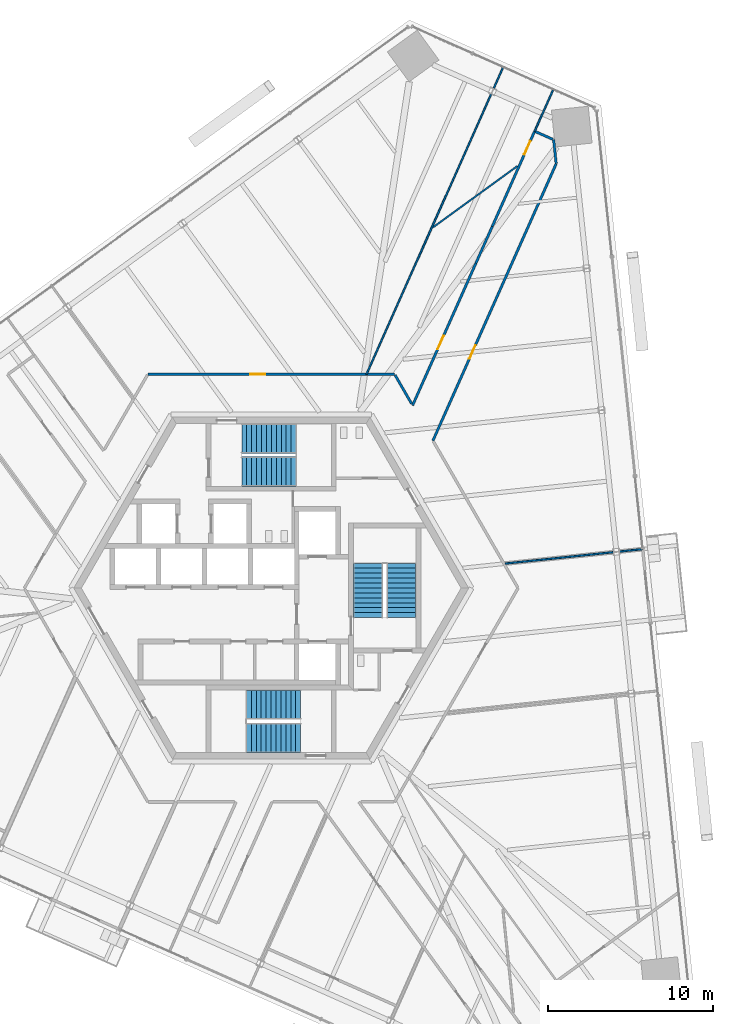
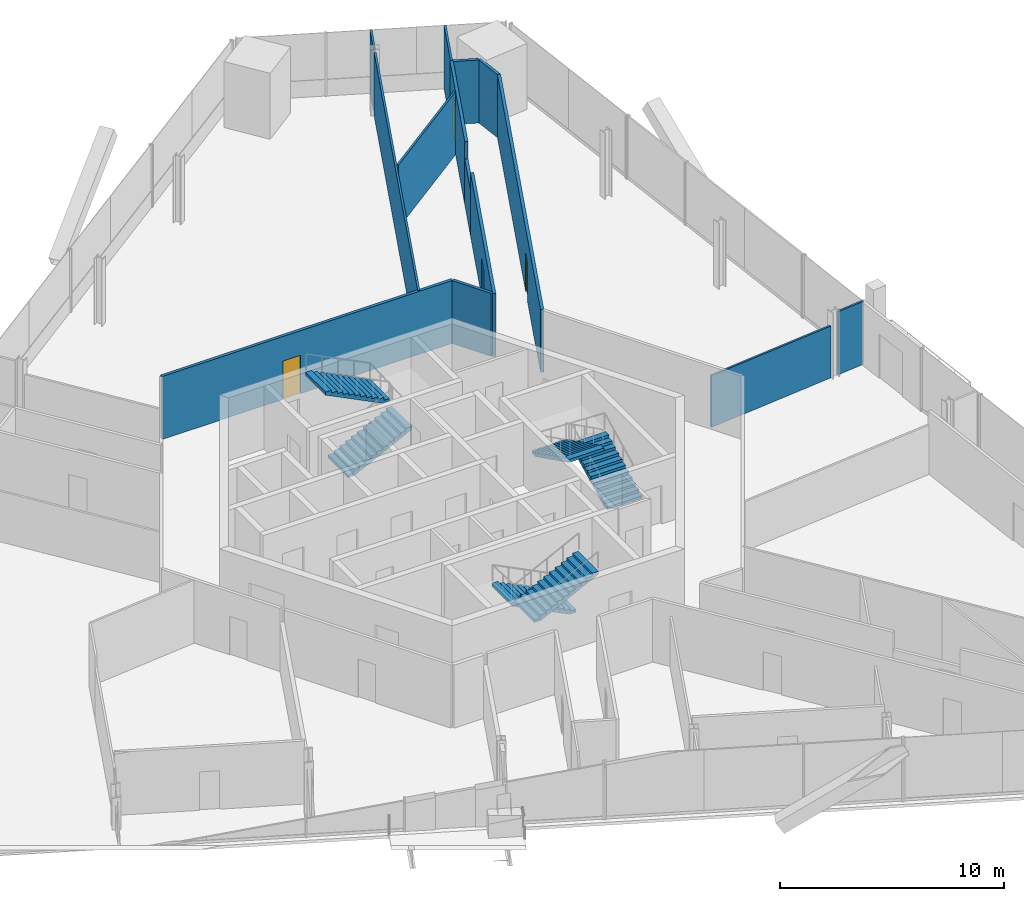
# One storey, part 14 of 18: 14 walls, 6 stair flights, 4 doors, 4 openings, 3 elements without a shape of their own.
"""IFC4 building model written with IfcOpenShell, lengths in metres."""

import ifcopenshell
import ifcopenshell.guid

model = None  # the IFC model being written
_history = None  # IfcOwnerHistory: only IFC2X3 demands one
_inside = {}  # id of a spatial element -> (the spatial element, [elements in it])
_under = {}  # id of a project, library or spatial element -> (it, [spatial elements below it])
_declared = {}  # id of a project -> (the project, [libraries it declares])
_typed = {}  # id of a type object -> (the type object, [elements of that type])
_made_of = {}  # id of a material, layer set ... -> (it, [elements and type objects made of it])


def new_model(schema):
    """Start an empty IFC model of exactly this schema.

    Asked for "IFC4X3", IfcOpenShell would pick the latest addendum, in which some entities
    have other attributes; the version numbers below select the first issue.
    IFC2X3 requires an IfcOwnerHistory on every rooted entity: one is made here for all.
    """
    global model, _history
    if schema == "IFC4X3":
        model = ifcopenshell.file(schema_version=(4, 3, 0, 0))
    else:
        model = ifcopenshell.file(schema=schema)
    _inside.clear()
    _under.clear()
    _declared.clear()
    _typed.clear()
    _made_of.clear()
    _history = None
    if model.schema == "IFC2X3":
        org = make("IfcOrganization", Name="unknown")
        user = make(
            "IfcPersonAndOrganization",
            ThePerson=make("IfcPerson", FamilyName="unknown"),
            TheOrganization=org,
        )
        app = make(
            "IfcApplication",
            ApplicationDeveloper=org,
            Version="unknown",
            ApplicationFullName="unknown",
            ApplicationIdentifier="unknown",
        )
        _history = make(
            "IfcOwnerHistory",
            OwningUser=user,
            OwningApplication=app,
            ChangeAction="ADDED",
            CreationDate=0,
        )
    return model


def make(cls, **values):
    """One entity of the class cls with the attributes given. An attribute that is None is left unset."""
    return model.create_entity(
        cls, **{name: value for name, value in values.items() if value is not None}
    )


def rooted(cls, **values):
    """An entity with a GlobalId (a new one), such as an element, a storey or a relation."""
    return make(cls, GlobalId=ifcopenshell.guid.new(), OwnerHistory=_history, **values)


def si_unit(unit_type, name, prefix=None):
    """IfcSIUnit, for example si_unit("LENGTHUNIT", "METRE", prefix="MILLI")."""
    return make("IfcSIUnit", UnitType=unit_type, Prefix=prefix, Name=name)


def assignment(units):
    """IfcUnitAssignment: the units of a project."""
    return None if units is None else make("IfcUnitAssignment", Units=units)


def point(xyz):
    """IfcCartesianPoint."""
    return None if xyz is None else make("IfcCartesianPoint", Coordinates=xyz)


def direction(xyz):
    """IfcDirection."""
    return None if xyz is None else make("IfcDirection", DirectionRatios=xyz)


def frame(location, z_axis=None, x_axis=None):
    """IfcAxis2Placement3D, a coordinate frame: its origin and axes. An axis left out is left unset."""
    return make(
        "IfcAxis2Placement3D",
        Location=point(location),
        Axis=direction(z_axis),
        RefDirection=direction(x_axis),
    )


def frame_2d(location, x_axis=None):
    """IfcAxis2Placement2D, a coordinate frame in the plane: its origin and x axis."""
    return make(
        "IfcAxis2Placement2D", Location=point(location), RefDirection=direction(x_axis)
    )


def origin():
    """The frame at (0, 0, 0) with its axes left unset."""
    return frame((0.0, 0.0, 0.0))


def place(relative_to, where):
    """IfcLocalPlacement: puts the frame where relative to a parent placement (None: the world)."""
    return make(
        "IfcLocalPlacement", PlacementRelTo=relative_to, RelativePlacement=where
    )


def context(
    kind, dimensions, precision=None, world=None, true_north=None, identifier=None
):
    """IfcGeometricRepresentationContext, for example the 3D "Model" context."""
    return make(
        "IfcGeometricRepresentationContext",
        ContextIdentifier=identifier,
        ContextType=kind,
        CoordinateSpaceDimension=dimensions,
        Precision=precision,
        WorldCoordinateSystem=world,
        TrueNorth=true_north,
    )


def subcontext(parent, identifier, kind, view, scale=None):
    """IfcGeometricRepresentationSubContext, for example "Body" below "Model"."""
    return make(
        "IfcGeometricRepresentationSubContext",
        ContextIdentifier=identifier,
        ContextType=kind,
        ParentContext=parent,
        TargetScale=scale,
        TargetView=view,
    )


def project(units=None, contexts=None):
    """IfcProject with its units and contexts."""
    return rooted(
        "IfcProject",
        Name="project",
        RepresentationContexts=contexts,
        UnitsInContext=assignment(units),
    )


def spatial(cls, under=None, at=None, **own):
    """A site, building, storey or space (cls), placed at a placement, below another one or the project."""
    s = rooted(cls, ObjectPlacement=at, **own)
    if under is not None:
        _under.setdefault(under.id(), (under, []))[1].append(s)
    return s


def polyline(points):
    """IfcPolyline through the points."""
    return make("IfcPolyline", Points=[point(p) for p in points])


def profile(cls, at=None, kind="AREA", **sizes):
    """A parametric profile (cls). Its sizes go by their IFC names, for example OverallWidth=200.0."""
    return make(cls, ProfileType=kind, Position=at, **sizes)


def rectangle(**sizes):
    """IfcRectangleProfileDef."""
    return profile("IfcRectangleProfileDef", **sizes)


def outline(outer, holes=None, kind="AREA"):
    """IfcArbitraryClosedProfileDef: a profile drawn as a closed curve; with holes, ...WithVoids."""
    if holes is None:
        return make("IfcArbitraryClosedProfileDef", ProfileType=kind, OuterCurve=outer)
    return make(
        "IfcArbitraryProfileDefWithVoids",
        ProfileType=kind,
        OuterCurve=outer,
        InnerCurves=holes,
    )


def extrude(swept, where, along, depth):
    """IfcExtrudedAreaSolid: the profile swept, set in the frame where, extruded along a direction by depth."""
    return make(
        "IfcExtrudedAreaSolid",
        SweptArea=swept,
        Position=where,
        ExtrudedDirection=direction(along),
        Depth=depth,
    )


def shape(context_of_items, identifier, shape_type, items):
    """IfcShapeRepresentation: the items that make up one representation, for example the "Body"."""
    return make(
        "IfcShapeRepresentation",
        ContextOfItems=context_of_items,
        RepresentationIdentifier=identifier,
        RepresentationType=shape_type,
        Items=items,
    )


def source(mapping_origin, context_of_items, identifier, shape_type, items):
    """IfcRepresentationMap: a shape defined once, which mapped items show again and again."""
    return make(
        "IfcRepresentationMap",
        MappingOrigin=mapping_origin,
        MappedRepresentation=shape(context_of_items, identifier, shape_type, items),
    )


def transform(
    local_origin,
    x_axis=None,
    y_axis=None,
    z_axis=None,
    scale=None,
    scale2=None,
    scale3=None,
    uniform=True,
):
    """IfcCartesianTransformationOperator3D, or its non-uniform kind. x_axis, y_axis, z_axis: its Axis1, 2, 3."""
    if uniform:
        return make(
            "IfcCartesianTransformationOperator3D",
            Axis1=direction(x_axis),
            Axis2=direction(y_axis),
            LocalOrigin=point(local_origin),
            Scale=scale,
            Axis3=direction(z_axis),
        )
    return make(
        "IfcCartesianTransformationOperator3DnonUniform",
        Axis1=direction(x_axis),
        Axis2=direction(y_axis),
        LocalOrigin=point(local_origin),
        Scale=scale,
        Axis3=direction(z_axis),
        Scale2=scale2,
        Scale3=scale3,
    )


def mapped(mapping_source, mapping_target):
    """IfcMappedItem: shows the shape of a source again, moved by a transform."""
    return make(
        "IfcMappedItem", MappingSource=mapping_source, MappingTarget=mapping_target
    )


def material(Name=None, Category=None):
    """IfcMaterial."""
    return make("IfcMaterial", Name=Name, Category=Category)


def layer(
    of_material, thickness, ventilated=None, Name=None, Category=None, Priority=None
):
    """IfcMaterialLayer: one layer of a wall or slab, of a material (None: an air gap)."""
    return make(
        "IfcMaterialLayer",
        Material=of_material,
        LayerThickness=thickness,
        IsVentilated=ventilated,
        Name=Name,
        Category=Category,
        Priority=Priority,
    )


def layer_set(layers, Name=None):
    """IfcMaterialLayerSet."""
    return make("IfcMaterialLayerSet", MaterialLayers=layers, LayerSetName=Name)


def made_of(thing, what):
    """Note that an element or type object is made of a material, layer set ...; save() writes the relation."""
    if what is not None:
        _made_of.setdefault(what.id(), (what, []))[1].append(thing)
    return thing


def type_object(cls, material=None, **own):
    """A type object (cls), such as IfcWallType, which elements share."""
    return made_of(rooted(cls, **own), material)


def element(
    cls,
    number,
    at=None,
    inside=None,
    cuts=None,
    type_object=None,
    material=None,
    context=None,
    identifier="Body",
    shape_type=None,
    held_by="IfcProductDefinitionShape",
    body=None,
    shapes=None,
    **own,
):
    """One element of the class cls, such as IfcWall. Its Tag is "e" and its number.

    at: its placement. inside: the storey or other place that contains it. cuts: it is an
    opening in that element (IfcRelVoidsElement). A single representation is given by context,
    identifier, shape_type and body (its items); several are given by shapes. held_by: the class
    of the entity that holds the representations. save() writes the other relations.
    """
    e = rooted(cls, Tag="e%d" % number, ObjectPlacement=at, **own)
    if body is not None:
        shapes = [shape(context, identifier, shape_type, body)]
    if shapes is not None:
        e.Representation = make(held_by, Representations=shapes)
    if inside is not None:
        _inside.setdefault(inside.id(), (inside, []))[1].append(e)
    if cuts is not None:
        rooted(
            "IfcRelVoidsElement", RelatingBuildingElement=cuts, RelatedOpeningElement=e
        )
    if type_object is not None:
        _typed.setdefault(type_object.id(), (type_object, []))[1].append(e)
    return made_of(e, material)


def fill(opening, filler):
    """IfcRelFillsElement: the door or window that sits in an opening."""
    return rooted(
        "IfcRelFillsElement",
        RelatingOpeningElement=opening,
        RelatedBuildingElement=filler,
    )


def aggregate(whole, parts):
    """IfcRelAggregates: a whole, such as a stair, and the parts it consists of."""
    return rooted("IfcRelAggregates", RelatingObject=whole, RelatedObjects=parts)


def save(model, path):
    """Write the relations noted so far, then the file.

    IfcRelAggregates (storeys below a building ...), IfcRelContainedInSpatialStructure (elements
    in a storey), IfcRelDefinesByType, IfcRelAssociatesMaterial and IfcRelDeclares: one each for
    every whole, place, type object, material and project.
    """
    for whole, parts in _under.values():
        aggregate(whole, parts)
    for where, things in _inside.values():
        rooted(
            "IfcRelContainedInSpatialStructure",
            RelatedElements=things,
            RelatingStructure=where,
        )
    for kind, things in _typed.values():
        rooted("IfcRelDefinesByType", RelatedObjects=things, RelatingType=kind)
    for what, things in _made_of.values():
        rooted("IfcRelAssociatesMaterial", RelatedObjects=things, RelatingMaterial=what)
    for by, libraries in _declared.values():
        rooted("IfcRelDeclares", RelatingContext=by, RelatedDefinitions=libraries)
    model.write(path)


model = new_model("IFC4")

# Units and contexts
model_context = context("Model", 3, precision=1e-05, world=origin(), true_north=direction((0.0, 1.0)))
body_context = subcontext(model_context, "Body", "Model", "MODEL_VIEW")
ifc_project = project(units=[si_unit("LENGTHUNIT", "METRE"), si_unit("AREAUNIT", "SQUARE_METRE"), si_unit("VOLUMEUNIT", "CUBIC_METRE"), si_unit("PLANEANGLEUNIT", "RADIAN"), si_unit("MASSUNIT", "GRAM", prefix="KILO")], contexts=[model_context])

# Site, building, storey
site_placement = place(None, origin())
site = spatial("IfcSite", under=ifc_project, at=site_placement, CompositionType="ELEMENT")
building_placement = place(site_placement, origin())
building = spatial("IfcBuilding", under=site, at=building_placement, Name="Triune Harvest Tower", CompositionType="ELEMENT")
storey_placement = place(building_placement, frame((0.0, 0.0, 83.699951171875)))
storey = spatial("IfcBuildingStorey", under=building, at=storey_placement, Name="L20", CompositionType="ELEMENT", Elevation=83.699951171875)

# Walls
ifc_material_1 = material(Name="Gypsum board on steel studs", Category="steel")
ifc_layer_1 = layer(ifc_material_1, 0.10009765625)
ifc_layer_set_1 = layer_set([ifc_layer_1], Name="Gypsum board on steel studs")
wall_type_1 = type_object("IfcWallType", Name="Partition 100 mm", PredefinedType="PARTITIONING", material=ifc_layer_set_1)
wall_1_placement = place(storey_placement, frame((14.223388671875, 1.494873046875, 0.0), z_axis=(0.0, 0.0, 1.0), x_axis=(0.994523871061, 0.104509664095, 0.0)))
element("IfcWall", 1, at=wall_1_placement, inside=storey, type_object=wall_type_1, Name="Partition L20 033", PredefinedType="PARTITIONING", context=body_context, shape_type="SweptSolid", body=[
    extrude(rectangle(XDim=6.60400390625, YDim=0.10009765625, at=frame_2d((3.302001953125, 0.0))), origin(), (0.0, 0.0, 1.0), 2.827880859375),
])
shared_shape_1 = source(origin(), body_context, "Body", "SweptSolid", [
    extrude(rectangle(XDim=1.418212890625, YDim=0.10009765625, at=frame_2d((0.708984375, 0.0))), origin(), (0.0, 0.0, 1.0), 3.43994140625),
])
wall_2_placement = place(storey_placement, frame((13.519287109375, 30.36474609375, 0.0), z_axis=(0.0, 0.0, 1.0), x_axis=(0.40676126154, 0.913534496399, 0.0)))
element("IfcWall", 2, at=wall_2_placement, inside=storey, type_object=wall_type_1, Name="Partition L20 056", PredefinedType="PARTITIONING", context=body_context, shape_type="MappedRepresentation", body=[
    mapped(shared_shape_1, transform((0.0, 0.0, 0.0), scale=1.0)),
])
shared_shape_2 = source(origin(), body_context, "Body", "SweptSolid", [
    extrude(rectangle(XDim=1.41845703125, YDim=0.10009765625, at=frame_2d((0.709228515625, 0.0))), origin(), (0.0, 0.0, 1.0), 3.43994140625),
])
wall_3_placement = place(storey_placement, frame((21.162841796875, 2.22412109375, 0.0), z_axis=(0.0, 0.0, 1.0), x_axis=(0.994527123793, 0.104478706151, 0.0)))
element("IfcWall", 3, at=wall_3_placement, inside=storey, type_object=wall_type_1, Name="Partition L20 034", PredefinedType="PARTITIONING", context=body_context, shape_type="MappedRepresentation", body=[
    mapped(shared_shape_2, transform((0.0, 0.0, 0.0), scale=1.0)),
])
shared_shape_3 = source(origin(), body_context, "Body", "SweptSolid", [
    extrude(rectangle(XDim=2.7802734375, YDim=0.10009765625, at=frame_2d((1.39013671875, 0.0))), origin(), (0.0, 0.0, 1.0), 3.43994140625),
])
wall_4_placement = place(storey_placement, frame((16.00830078125, 27.765625, 0.0), z_axis=(0.0, 0.0, 1.0), x_axis=(0.406757602103, 0.913536125794, 0.0)))
element("IfcWall", 4, at=wall_4_placement, inside=storey, type_object=wall_type_1, Name="Partition L20 052", PredefinedType="PARTITIONING", context=body_context, shape_type="MappedRepresentation", body=[
    mapped(shared_shape_3, transform((0.0, 0.0, 0.0), scale=1.0)),
])
ifc_material_2 = material(Name="Gypsum board on steel studs", Category="steel")
ifc_layer_2 = layer(ifc_material_2, 0.14990234375)
ifc_layer_set_2 = layer_set([ifc_layer_2], Name="Gypsum board on steel studs")
wall_type_2 = type_object("IfcWallType", Name="Fire Partition 150 mm", PredefinedType="PARTITIONING", material=ifc_layer_set_2)
shared_shape_4 = source(origin(), body_context, "Body", "SweptSolid", [
    extrude(rectangle(XDim=1.45263671875, YDim=0.14990234375, at=frame_2d((0.726318359375, 0.0))), origin(), (0.0, 0.0, 1.0), 3.43994140625),
])
wall_5_placement = place(storey_placement, frame((17.1630859375, 27.251708984375, 0.0), z_axis=(0.0, 0.0, 1.0), x_axis=(0.104544794855, -0.994520178714, 0.0)))
element("IfcWall", 5, at=wall_5_placement, inside=storey, type_object=wall_type_2, Name="Partition L20 002", PredefinedType="PARTITIONING", context=body_context, shape_type="MappedRepresentation", body=[
    mapped(shared_shape_4, transform((0.0, 0.0, 0.0), scale=1.0)),
])
shared_shape_5 = source(origin(), body_context, "Body", "SweptSolid", [
    extrude(rectangle(XDim=2.00927734375, YDim=0.14990234375, at=frame_2d((1.004638671875, 0.0))), origin(), (0.0, 0.0, 1.0), 3.43994140625),
])
wall_6_placement = place(storey_placement, frame((7.526123046875, 12.948974609375, 0.0), z_axis=(0.0, 0.0, 1.0), x_axis=(0.500020471368, -0.866013584312, 0.0)))
element("IfcWall", 6, at=wall_6_placement, inside=storey, type_object=wall_type_2, Name="Partition L20 006", PredefinedType="PARTITIONING", context=body_context, shape_type="MappedRepresentation", body=[
    mapped(shared_shape_5, transform((0.0, 0.0, 0.0), scale=1.0)),
])
shared_shape_6 = source(origin(), body_context, "Body", "SweptSolid", [
    extrude(rectangle(XDim=1.16357421875, YDim=0.14990234375, at=frame_2d((0.581787109375, 0.0))), origin(), (0.0, 0.0, 1.0), 3.43994140625),
])
wall_7_placement = place(storey_placement, frame((16.05419921875, 27.745361328125, 0.0), z_axis=(0.0, 0.0, 1.0), x_axis=(0.913508477473, -0.406819691736, 0.0)))
element("IfcWall", 7, at=wall_7_placement, inside=storey, type_object=wall_type_2, Name="Partition L20 024", PredefinedType="PARTITIONING", context=body_context, shape_type="MappedRepresentation", body=[
    mapped(shared_shape_6, transform((0.0, 0.0, 0.0), scale=1.0)),
])

# Wall, opening, door
shared_shape_7 = source(origin(), body_context, "Body", "SweptSolid", [
    extrude(rectangle(XDim=15.00244140625, YDim=0.14990234375, at=frame_2d((7.501220703125, 0.0))), origin(), (0.0, 0.0, 1.0), 3.43994140625),
])
wall_8_placement = place(storey_placement, frame((-7.501220703125, 12.9921875, 0.0), z_axis=(0.0, 0.0, 1.0), x_axis=(1.0, 0.0, 0.0)))
wall_8 = element("IfcWall", 8, at=wall_8_placement, inside=storey, type_object=wall_type_2, Name="Partition L20 029", PredefinedType="PARTITIONING", context=body_context, shape_type="MappedRepresentation", body=[
    mapped(shared_shape_7, transform((0.0, 0.0, 0.0), scale=1.0)),
])
opening_1_placement = place(wall_8_placement, frame((6.235595703125, 0.0, 0.0)))
opening_1 = element("IfcOpeningElement", 9, at=opening_1_placement, cuts=wall_8, Name="Opening L20-008", PredefinedType="OPENING", context=body_context, shape_type="SweptSolid", body=[
    extrude(rectangle(XDim=0.89990234375, YDim=2.10009765625, at=frame_2d((0.449951171875, 1.050048828125))), frame((0.0, 0.0849609375, 0.0), z_axis=(0.0, -1.0, 0.0), x_axis=(1.0, 0.0, 0.0)), (0.0, 0.0, 1.0), 0.169921875),
])
ifc_material_3 = material(Name="Timber and steel door set", Category="steel")
door_type_1 = type_object("IfcDoorType", Name="Single leaf door FD30 left hand 900 x 2100", OperationType="SINGLE_SWING_LEFT", PredefinedType="DOOR", material=ifc_material_3)
door_1_placement = place(opening_1_placement, origin())
door_1 = element("IfcDoor", 10, at=door_1_placement, inside=storey, type_object=door_type_1, Name="Door L20-008 Food Laboratory 20.08", OperationType="SINGLE_SWING_LEFT", OverallHeight=2.10009765625, OverallWidth=0.89990234375, PredefinedType="DOOR", context=body_context, shape_type="SweptSolid", body=[
    extrude(rectangle(XDim=0.89990234375, YDim=2.10009765625, at=frame_2d((0.449951171875, 1.050048828125))), frame((0.0, 0.02490234375, 0.0), z_axis=(0.0, -1.0, 0.0), x_axis=(1.0, 0.0, 0.0)), (0.0, 0.0, 1.0), 0.050048828125),
])
fill(opening_1, door_1)

# Wall
shared_shape_8 = source(origin(), body_context, "Body", "SweptSolid", [
    extrude(rectangle(XDim=6.322265625, YDim=0.10009765625, at=frame_2d((3.1611328125, 0.0))), origin(), (0.0, 0.0, 1.0), 3.43994140625),
])
wall_9_placement = place(storey_placement, frame((9.841552734375, 21.93212890625, 0.0), z_axis=(0.0, 0.0, 1.0), x_axis=(0.809018205648, 0.587783585115, 0.0)))
element("IfcWall", 11, at=wall_9_placement, inside=storey, type_object=wall_type_1, Name="Partition L20 037", PredefinedType="PARTITIONING", context=body_context, shape_type="MappedRepresentation", body=[
    mapped(shared_shape_8, transform((0.0, 0.0, 0.0), scale=1.0)),
])

# Wall, opening, door
shared_shape_9 = source(origin(), body_context, "Body", "SweptSolid", [
    extrude(rectangle(XDim=18.415283203125, YDim=0.14990234375, at=frame_2d((9.20751953125, 0.0))), origin(), (0.0, 0.0, 1.0), 3.43994140625),
])
wall_10_placement = place(storey_placement, frame((9.826904296875, 8.964111328125, 0.0), z_axis=(0.0, 0.0, 1.0), x_axis=(0.406727589748, 0.91354948839, 0.0)))
wall_10 = element("IfcWall", 12, at=wall_10_placement, inside=storey, type_object=wall_type_2, Name="Partition L20 048", PredefinedType="PARTITIONING", context=body_context, shape_type="MappedRepresentation", body=[
    mapped(shared_shape_9, transform((0.0, 0.0, 0.0), scale=1.0)),
])
opening_2_placement = place(wall_10_placement, frame((5.444091796875, 0.0, 0.0)))
opening_2 = element("IfcOpeningElement", 13, at=opening_2_placement, cuts=wall_10, Name="Opening L20-006", PredefinedType="OPENING", context=body_context, shape_type="SweptSolid", body=[
    extrude(rectangle(XDim=0.89990234375, YDim=2.10009765625, at=frame_2d((0.449951171875, 1.050048828125))), frame((0.0, 0.0849609375, 0.0), z_axis=(0.0, -1.0, 0.0), x_axis=(1.0, 0.0, 0.0)), (0.0, 0.0, 1.0), 0.169921875),
])
ifc_material_4 = material(Name="Timber and steel door set", Category="steel")
door_type_2 = type_object("IfcDoorType", Name="Single leaf door FD30 right hand 900 x 2100", OperationType="SINGLE_SWING_RIGHT", PredefinedType="DOOR", material=ifc_material_4)
door_2_placement = place(opening_2_placement, origin())
door_2 = element("IfcDoor", 14, at=door_2_placement, inside=storey, type_object=door_type_2, Name="Door L20-006 Open Office 20.06", OperationType="SINGLE_SWING_RIGHT", OverallHeight=2.10009765625, OverallWidth=0.89990234375, PredefinedType="DOOR", context=body_context, shape_type="SweptSolid", body=[
    extrude(rectangle(XDim=0.89990234375, YDim=2.10009765625, at=frame_2d((0.449951171875, 1.050048828125))), frame((0.0, 0.02490234375, 0.0), z_axis=(0.0, -1.0, 0.0), x_axis=(1.0, 0.0, 0.0)), (0.0, 0.0, 1.0), 0.050048828125),
])
fill(opening_2, door_2)

shared_shape_10 = source(origin(), body_context, "Body", "SweptSolid", [
    extrude(rectangle(XDim=9.461181640625, YDim=0.14990234375, at=frame_2d((4.73046875, 0.0))), origin(), (0.0, 0.0, 1.0), 3.43994140625),
])
wall_11_placement = place(storey_placement, frame((8.590576171875, 11.105224609375, 0.0), z_axis=(0.0, 0.0, 1.0), x_axis=(0.406727358166, 0.913549591494, 0.0)))
wall_11 = element("IfcWall", 15, at=wall_11_placement, inside=storey, type_object=wall_type_2, Name="Partition L20 051", PredefinedType="PARTITIONING", context=body_context, shape_type="MappedRepresentation", body=[
    mapped(shared_shape_10, transform((0.0, 0.0, 0.0), scale=1.0)),
])
opening_3_placement = place(wall_11_placement, frame((3.738525390625, 0.0, 0.0)))
opening_3 = element("IfcOpeningElement", 16, at=opening_3_placement, cuts=wall_11, Name="Opening L20-005", PredefinedType="OPENING", context=body_context, shape_type="SweptSolid", body=[
    extrude(rectangle(XDim=0.89990234375, YDim=2.10009765625, at=frame_2d((0.449951171875, 1.050048828125))), frame((0.0, 0.0849609375, 0.0), z_axis=(0.0, -1.0, 0.0), x_axis=(1.0, 0.0, 0.0)), (0.0, 0.0, 1.0), 0.169921875),
])
door_3_placement = place(opening_3_placement, origin())
door_3 = element("IfcDoor", 17, at=door_3_placement, inside=storey, type_object=door_type_1, Name="Door L20-005 Dry Store Room 20.05", OperationType="SINGLE_SWING_LEFT", OverallHeight=2.10009765625, OverallWidth=0.89990234375, PredefinedType="DOOR", context=body_context, shape_type="SweptSolid", body=[
    extrude(rectangle(XDim=0.89990234375, YDim=2.10009765625, at=frame_2d((0.449951171875, 1.050048828125))), frame((0.0, 0.02490234375, 0.0), z_axis=(0.0, -1.0, 0.0), x_axis=(1.0, 0.0, 0.0)), (0.0, 0.0, 1.0), 0.050048828125),
])
fill(opening_3, door_3)

# Wall
shared_shape_11 = source(origin(), body_context, "Body", "SweptSolid", [
    extrude(rectangle(XDim=2.440185546875, YDim=0.14990234375, at=frame_2d((1.22021484375, 0.0))), origin(), (0.0, 0.0, 1.0), 2.49755859375),
])
wall_12_placement = place(storey_placement, frame((12.438720703125, 19.74853515625, 0.0), z_axis=(0.0, 0.0, 1.0), x_axis=(0.406788148453, 0.913522524231, 0.0)))
element("IfcWall", 18, at=wall_12_placement, inside=storey, type_object=wall_type_2, Name="Partition L20 051a", PredefinedType="PARTITIONING", context=body_context, shape_type="MappedRepresentation", body=[
    mapped(shared_shape_11, transform((0.0, 0.0, 0.0), scale=1.0)),
])

# Wall, opening, door
shared_shape_12 = source(origin(), body_context, "Body", "SweptSolid", [
    extrude(rectangle(XDim=6.335693359375, YDim=0.14990234375, at=frame_2d((3.16796875, 0.0))), origin(), (0.0, 0.0, 1.0), 3.43994140625),
])
wall_13_placement = place(storey_placement, frame((13.431396484375, 21.977783203125, 0.0), z_axis=(0.0, 0.0, 1.0), x_axis=(0.406735471086, 0.913545979445, 0.0)))
wall_13 = element("IfcWall", 19, at=wall_13_placement, inside=storey, type_object=wall_type_2, Name="Partition L20 051b", PredefinedType="PARTITIONING", context=body_context, shape_type="MappedRepresentation", body=[
    mapped(shared_shape_12, transform((0.0, 0.0, 0.0), scale=1.0)),
])
opening_4_placement = place(wall_13_placement, frame((4.79541015625, 0.0, 0.0)))
opening_4 = element("IfcOpeningElement", 20, at=opening_4_placement, cuts=wall_13, Name="Opening L20-007", PredefinedType="OPENING", context=body_context, shape_type="SweptSolid", body=[
    extrude(rectangle(XDim=0.89990234375, YDim=2.10009765625, at=frame_2d((0.449951171875, 1.050048828125))), frame((0.0, 0.0849609375, 0.0), z_axis=(0.0, -1.0, 0.0), x_axis=(1.0, 0.0, 0.0)), (0.0, 0.0, 1.0), 0.169921875),
])
door_4_placement = place(opening_4_placement, origin())
door_4 = element("IfcDoor", 21, at=door_4_placement, inside=storey, type_object=door_type_2, Name="Door L20-007 Specimen Store 20.07", OperationType="SINGLE_SWING_RIGHT", OverallHeight=2.10009765625, OverallWidth=0.89990234375, PredefinedType="DOOR", context=body_context, shape_type="SweptSolid", body=[
    extrude(rectangle(XDim=0.89990234375, YDim=2.10009765625, at=frame_2d((0.449951171875, 1.050048828125))), frame((0.0, 0.02490234375, 0.0), z_axis=(0.0, -1.0, 0.0), x_axis=(1.0, 0.0, 0.0)), (0.0, 0.0, 1.0), 0.050048828125),
])
fill(opening_4, door_4)

# Wall
shared_shape_13 = source(origin(), body_context, "Body", "SweptSolid", [
    extrude(rectangle(XDim=18.642578125, YDim=0.10009765625, at=frame_2d((9.3212890625, 0.0))), origin(), (0.0, 0.0, 1.0), 3.43994140625),
])
wall_14_placement = place(storey_placement, frame((5.78466796875, 12.9921875, 0.0), z_axis=(0.0, 0.0, 1.0), x_axis=(0.406728906672, 0.913548902072, 0.0)))
element("IfcWall", 22, at=wall_14_placement, inside=storey, type_object=wall_type_1, Name="Partition L20 055", PredefinedType="PARTITIONING", context=body_context, shape_type="MappedRepresentation", body=[
    mapped(shared_shape_13, transform((0.0, 0.0, 0.0), scale=1.0)),
])

# Stair, stair flights
ifc_material_5 = material(Name="Concrete 40 MPa", Category="concrete")
stair_type = type_object("IfcStairType", Name="Exit stair 1800 half turn", PredefinedType="HALF_TURN_STAIR", material=ifc_material_5)
stair_1_placement = place(storey_placement, origin())
stair_1 = element("IfcStair", 23, at=stair_1_placement, inside=storey, type_object=stair_type, Name="Exit stair north", PredefinedType="HALF_TURN_STAIR")
ifc_material_6 = material(Name="Concrete 40 MPa", Category="concrete")
stair_flight_type = type_object("IfcStairFlightType", Name="Stair flight 1800", PredefinedType="STRAIGHT", material=ifc_material_6)
shared_shape_14 = source(origin(), body_context, "Body", "SweptSolid", [
    extrude(outline(polyline([(0.0, 0.0), (0.0, 0.14990234375), (0.300048828125, 0.14990234375), (0.300048828125, 0.300048828125), (0.60009765625, 0.300048828125), (0.60009765625, 0.449951171875), (0.89990234375, 0.449951171875), (0.89990234375, 0.60009765625), (1.199951171875, 0.60009765625), (1.199951171875, 0.75), (1.5, 0.75), (1.5, 0.89990234375), (1.800048828125, 0.89990234375), (1.800048828125, 1.050048828125), (2.10009765625, 1.050048828125), (2.10009765625, 1.199951171875), (2.39990234375, 1.199951171875), (2.39990234375, 1.35009765625), (2.699951171875, 1.35009765625), (2.699951171875, 1.5), (3.0, 1.5), (3.0, 1.64990234375), (3.300048828125, 1.64990234375), (3.300048828125, 1.800048828125), (3.300048828125, 1.482421875), (0.335205078125, 0.0), (0.0, 0.0)])), frame((0.0, 0.89990234375, 0.0), z_axis=(0.0, -1.0, 0.0), x_axis=(1.0, 0.0, 0.0)), (0.0, 0.0, 1.0), 1.800048828125),
])
stair_flight_1_placement = place(storey_placement, frame((-1.7900390625, 7.090087890625, 0.0), z_axis=(0.0, 0.0, 1.0), x_axis=(1.0, 0.0, 0.0)))
stair_flight_1 = element("IfcStairFlight", 24, at=stair_flight_1_placement, type_object=stair_flight_type, Name="ST-1 flight 1", NumberOfRisers=12, NumberOfTreads=11, PredefinedType="STRAIGHT", RiserHeight=0.15, TreadLength=0.3, context=body_context, shape_type="MappedRepresentation", body=[
    mapped(shared_shape_14, transform((0.0, 0.0, 0.0), scale=1.0)),
])
stair_flight_2_placement = place(storey_placement, frame((1.510009765625, 9.090087890625, 1.800048828125), z_axis=(0.0, 0.0, 1.0), x_axis=(-1.0, 0.0, 0.0)))
stair_flight_2 = element("IfcStairFlight", 25, at=stair_flight_2_placement, type_object=stair_flight_type, Name="ST-1 flight 2", NumberOfRisers=12, NumberOfTreads=11, PredefinedType="STRAIGHT", RiserHeight=0.15, TreadLength=0.3, context=body_context, shape_type="MappedRepresentation", body=[
    mapped(shared_shape_14, transform((0.0, 0.0, 0.0), scale=1.0)),
])
aggregate(stair_1, [stair_flight_1, stair_flight_2])

stair_2_placement = place(storey_placement, origin())
stair_2 = element("IfcStair", 26, at=stair_2_placement, inside=storey, type_object=stair_type, Name="Exit stair south", PredefinedType="HALF_TURN_STAIR")
stair_flight_3_placement = place(storey_placement, frame((1.7900390625, -7.090087890625, 0.0), z_axis=(0.0, 0.0, 1.0), x_axis=(-1.0, 0.0, 0.0)))
stair_flight_3 = element("IfcStairFlight", 27, at=stair_flight_3_placement, type_object=stair_flight_type, Name="ST-2 flight 1", NumberOfRisers=12, NumberOfTreads=11, PredefinedType="STRAIGHT", RiserHeight=0.15, TreadLength=0.3, context=body_context, shape_type="MappedRepresentation", body=[
    mapped(shared_shape_14, transform((0.0, 0.0, 0.0), scale=1.0)),
])
stair_flight_4_placement = place(storey_placement, frame((-1.510009765625, -9.090087890625, 1.800048828125), z_axis=(0.0, 0.0, 1.0), x_axis=(1.0, 0.0, 0.0)))
stair_flight_4 = element("IfcStairFlight", 28, at=stair_flight_4_placement, type_object=stair_flight_type, Name="ST-2 flight 2", NumberOfRisers=12, NumberOfTreads=11, PredefinedType="STRAIGHT", RiserHeight=0.15, TreadLength=0.3, context=body_context, shape_type="MappedRepresentation", body=[
    mapped(shared_shape_14, transform((0.0, 0.0, 0.0), scale=1.0)),
])
aggregate(stair_2, [stair_flight_3, stair_flight_4])

stair_3_placement = place(storey_placement, origin())
stair_3 = element("IfcStair", 29, at=stair_3_placement, inside=storey, type_object=stair_type, Name="Exit stair east", PredefinedType="HALF_TURN_STAIR")
stair_flight_5_placement = place(storey_placement, frame((7.89990234375, -1.7900390625, 0.0), z_axis=(0.0, 0.0, 1.0), x_axis=(0.0, 1.0, 0.0)))
stair_flight_5 = element("IfcStairFlight", 30, at=stair_flight_5_placement, type_object=stair_flight_type, Name="ST-3 flight 1", NumberOfRisers=12, NumberOfTreads=11, PredefinedType="STRAIGHT", RiserHeight=0.15, TreadLength=0.3, context=body_context, shape_type="MappedRepresentation", body=[
    mapped(shared_shape_14, transform((0.0, 0.0, 0.0), scale=1.0)),
])
stair_flight_6_placement = place(storey_placement, frame((5.89990234375, 1.510009765625, 1.800048828125), z_axis=(0.0, 0.0, 1.0), x_axis=(0.0, -1.0, 0.0)))
stair_flight_6 = element("IfcStairFlight", 31, at=stair_flight_6_placement, type_object=stair_flight_type, Name="ST-3 flight 2", NumberOfRisers=12, NumberOfTreads=11, PredefinedType="STRAIGHT", RiserHeight=0.15, TreadLength=0.3, context=body_context, shape_type="MappedRepresentation", body=[
    mapped(shared_shape_14, transform((0.0, 0.0, 0.0), scale=1.0)),
])
aggregate(stair_3, [stair_flight_5, stair_flight_6])

save(model, "model.ifc")
